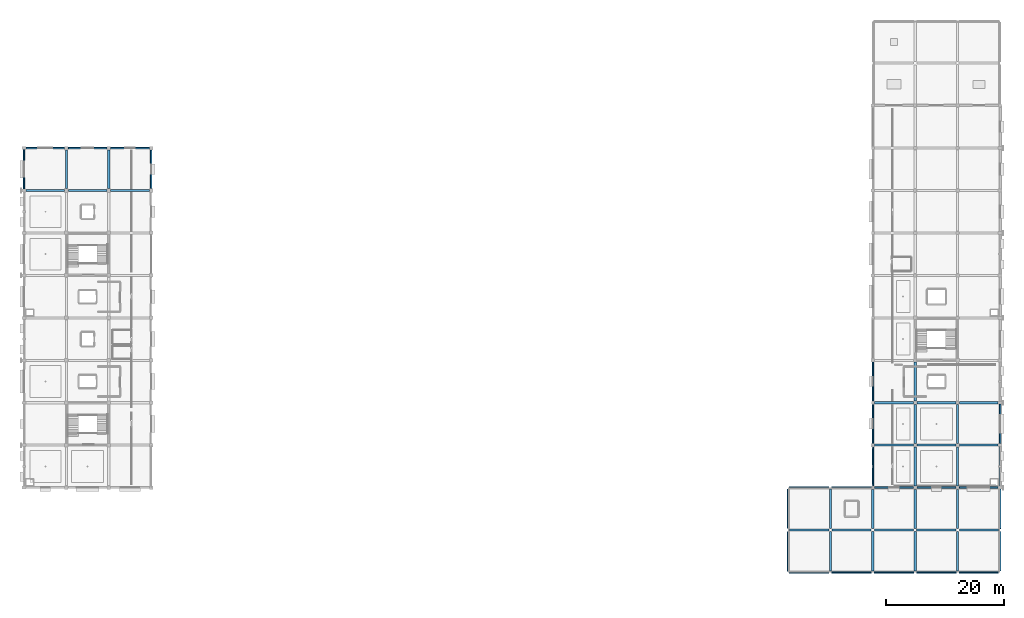
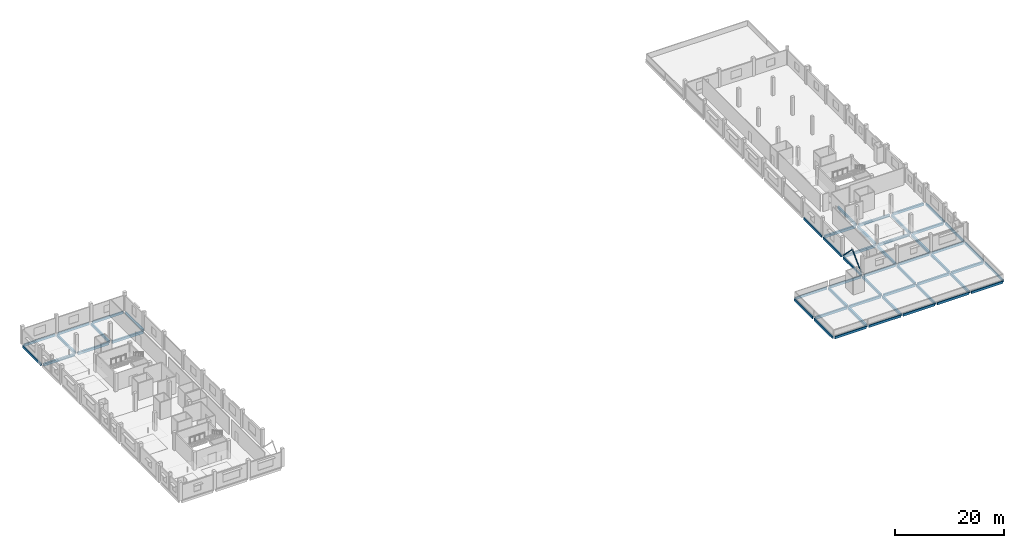
# One storey, part 5 of 26: 53 beams, 2 members.
"""IFC4 building model written with IfcOpenShell, lengths in metres."""

from ifc_helpers import new_model, si_unit, direction, frame, origin, origin_2d, place, context, subcontext, project, spatial, rectangle, hollow_circle, extrude, material, material_profile, profile_set, type_object, element, save


model = new_model("IFC4")

# Units and contexts
model_context = context("Model", 3, precision=1e-05, world=origin(), true_north=direction((0.0, 1.0)))
body_context = subcontext(model_context, "Body", "Model", "MODEL_VIEW")
ifc_project = project(units=[si_unit("LENGTHUNIT", "METRE"), si_unit("AREAUNIT", "SQUARE_METRE"), si_unit("VOLUMEUNIT", "CUBIC_METRE"), si_unit("PLANEANGLEUNIT", "RADIAN"), si_unit("MASSUNIT", "GRAM", prefix="KILO")], contexts=[model_context])

# Site, building, storey
site_placement = place(None, origin())
site = spatial("IfcSite", under=ifc_project, at=site_placement, CompositionType="ELEMENT")
building_placement = place(site_placement, origin())
building = spatial("IfcBuilding", under=site, at=building_placement, Name="Kangsadwip Square Police Headquarters", CompositionType="ELEMENT")
storey_placement = place(building_placement, frame((0.0, 0.0, 25.64990234375)))
storey = spatial("IfcBuildingStorey", under=building, at=storey_placement, Name="L06", CompositionType="ELEMENT", Elevation=25.64990234375)

# Beams
ifc_material_1 = material(Name="Concrete M35 (35 MPa)", Category="concrete")
ifc_material_profile_1 = material_profile(ifc_material_1, rectangle(XDim=0.35009765625, YDim=0.550048828125, at=origin_2d()), Name="RC BM 550X350")
ifc_profile_set_1 = profile_set([ifc_material_profile_1], Name="Concrete M35 (35 MPa)")
beam_type_1 = type_object("IfcBeamType", Name="RcBeam550x350", PredefinedType="BEAM", material=ifc_profile_set_1)
for number, where, z_axis, x_axis, name in (
    (1, (129.875, 28.800048828125, -0.494873046875), (1.0, 0.0, 0.0), (0.0, 1.0, 0.0), "Beam BM-L06-X-18-04"),
    (2, (137.050048828125, 28.800048828125, -0.494873046875), (1.0, 0.0, 0.0), (0.0, 1.0, 0.0), "Beam BM-L06-X-19-04"),
    (3, (144.27490234375, 28.800048828125, -0.494873046875), (1.0, 0.0, 0.0), (0.0, 1.0, 0.0), "Beam BM-L06-X-20-04"),
    (4, (151.449951171875, 28.800048828125, -0.494873046875), (1.0, 0.0, 0.0), (0.0, 1.0, 0.0), "Beam BM-L06-X-21-04"),
    (5, (158.675048828125, 28.800048828125, -0.494873046875), (1.0, 0.0, 0.0), (0.0, 1.0, 0.0), "Beam BM-L06-X-22-04"),
    (6, (136.800048828125, 21.875, -0.494873046875), (0.0, 1.0, 0.0), (-1.0, 0.0, 0.0), "Beam BM-L06-Y-19-03"),
    (7, (136.800048828125, 29.050048828125, -0.494873046875), (0.0, 1.0, 0.0), (-1.0, 0.0, 0.0), "Beam BM-L06-Y-19-04"),
):
    element("IfcBeam", number, at=place(storey_placement, frame(where, z_axis=z_axis, x_axis=x_axis)), inside=storey, type_object=beam_type_1, Name=name, PredefinedType="BEAM", context=body_context, shape_type="SweptSolid", body=[
        extrude(rectangle(XDim=0.35009765625, YDim=0.550048828125, at=origin_2d()), origin(), (0.0, 0.0, 1.0), 6.675048828125),
    ])
beam_1_placement = place(storey_placement, frame((144.0, 21.85009765625, -0.494873046875), z_axis=(0.0, 1.0, 0.0), x_axis=(-1.0, 0.0, 0.0)))
element("IfcBeam", 8, at=beam_1_placement, inside=storey, type_object=beam_type_1, Name="Beam BM-L06-Y-20-03", PredefinedType="BEAM", context=body_context, shape_type="SweptSolid", body=[
    extrude(rectangle(XDim=0.35009765625, YDim=0.550048828125, at=origin_2d()), origin(), (0.0, 0.0, 1.0), 6.6748046875),
])
beam_2_placement = place(storey_placement, frame((144.0, 29.074951171875, -0.494873046875), z_axis=(0.0, 1.0, 0.0), x_axis=(-1.0, 0.0, 0.0)))
element("IfcBeam", 9, at=beam_2_placement, inside=storey, type_object=beam_type_1, Name="Beam BM-L06-Y-20-04", PredefinedType="BEAM", context=body_context, shape_type="SweptSolid", body=[
    extrude(rectangle(XDim=0.35009765625, YDim=0.550048828125, at=origin_2d()), origin(), (0.0, 0.0, 1.0), 6.625),
])
beam_3_placement = place(storey_placement, frame((151.199951171875, 21.875, -0.494873046875), z_axis=(0.0, 1.0, 0.0), x_axis=(-1.0, 0.0, 0.0)))
element("IfcBeam", 10, at=beam_3_placement, inside=storey, type_object=beam_type_1, Name="Beam BM-L06-Y-21-03", PredefinedType="BEAM", context=body_context, shape_type="SweptSolid", body=[
    extrude(rectangle(XDim=0.35009765625, YDim=0.550048828125, at=origin_2d()), origin(), (0.0, 0.0, 1.0), 6.675048828125),
])
beam_4_placement = place(storey_placement, frame((151.199951171875, 29.050048828125, -0.494873046875), z_axis=(0.0, 1.0, 0.0), x_axis=(-1.0, 0.0, 0.0)))
element("IfcBeam", 11, at=beam_4_placement, inside=storey, type_object=beam_type_1, Name="Beam BM-L06-Y-21-04", PredefinedType="BEAM", context=body_context, shape_type="SweptSolid", body=[
    extrude(rectangle(XDim=0.35009765625, YDim=0.550048828125, at=origin_2d()), origin(), (0.0, 0.0, 1.0), 6.64990234375),
])
beam_5_placement = place(storey_placement, frame((158.39990234375, 21.85009765625, -0.494873046875), z_axis=(0.0, 1.0, 0.0), x_axis=(-1.0, 0.0, 0.0)))
element("IfcBeam", 12, at=beam_5_placement, inside=storey, type_object=beam_type_1, Name="Beam BM-L06-Y-22-03", PredefinedType="BEAM", context=body_context, shape_type="SweptSolid", body=[
    extrude(rectangle(XDim=0.35009765625, YDim=0.550048828125, at=origin_2d()), origin(), (0.0, 0.0, 1.0), 6.6748046875),
])
beam_6_placement = place(storey_placement, frame((158.39990234375, 29.074951171875, -0.494873046875), z_axis=(0.0, 1.0, 0.0), x_axis=(-1.0, 0.0, 0.0)))
element("IfcBeam", 13, at=beam_6_placement, inside=storey, type_object=beam_type_1, Name="Beam BM-L06-Y-22-04", PredefinedType="BEAM", context=body_context, shape_type="SweptSolid", body=[
    extrude(rectangle(XDim=0.35009765625, YDim=0.550048828125, at=origin_2d()), origin(), (0.0, 0.0, 1.0), 6.625),
])
beam_7_placement = place(storey_placement, frame((144.300048828125, 43.199951171875, -0.494873046875), z_axis=(1.0, 0.0, 0.0), x_axis=(0.0, 1.0, 0.0)))
element("IfcBeam", 14, at=beam_7_placement, inside=storey, type_object=beam_type_1, Name="Beam BM-L06-X-20-06", PredefinedType="BEAM", context=body_context, shape_type="SweptSolid", body=[
    extrude(rectangle(XDim=0.35009765625, YDim=0.550048828125, at=origin_2d()), origin(), (0.0, 0.0, 1.0), 6.599853515625),
])
beam_8_placement = place(storey_placement, frame((151.5, 43.199951171875, -0.494873046875), z_axis=(1.0, 0.0, 0.0), x_axis=(0.0, 1.0, 0.0)))
element("IfcBeam", 15, at=beam_8_placement, inside=storey, type_object=beam_type_1, Name="Beam BM-L06-X-21-06", PredefinedType="BEAM", context=body_context, shape_type="SweptSolid", body=[
    extrude(rectangle(XDim=0.35009765625, YDim=0.550048828125, at=origin_2d()), origin(), (0.0, 0.0, 1.0), 6.60009765625),
])
beam_9_placement = place(storey_placement, frame((158.699951171875, 43.199951171875, -0.494873046875), z_axis=(1.0, 0.0, 0.0), x_axis=(0.0, 1.0, 0.0)))
element("IfcBeam", 16, at=beam_9_placement, inside=storey, type_object=beam_type_1, Name="Beam BM-L06-X-22-06", PredefinedType="BEAM", context=body_context, shape_type="SweptSolid", body=[
    extrude(rectangle(XDim=0.35009765625, YDim=0.550048828125, at=origin_2d()), origin(), (0.0, 0.0, 1.0), 6.550048828125),
])
beam_10_placement = place(storey_placement, frame((144.300048828125, 50.39990234375, -0.494873046875), z_axis=(1.0, 0.0, 0.0), x_axis=(0.0, 1.0, 0.0)))
element("IfcBeam", 17, at=beam_10_placement, inside=storey, type_object=beam_type_1, Name="Beam BM-L06-X-20-07", PredefinedType="BEAM", context=body_context, shape_type="SweptSolid", body=[
    extrude(rectangle(XDim=0.35009765625, YDim=0.550048828125, at=origin_2d()), origin(), (0.0, 0.0, 1.0), 6.599853515625),
])
beam_11_placement = place(storey_placement, frame((151.5, 50.39990234375, -0.494873046875), z_axis=(1.0, 0.0, 0.0), x_axis=(0.0, 1.0, 0.0)))
element("IfcBeam", 18, at=beam_11_placement, inside=storey, type_object=beam_type_1, Name="Beam BM-L06-X-21-07", PredefinedType="BEAM", context=body_context, shape_type="SweptSolid", body=[
    extrude(rectangle(XDim=0.35009765625, YDim=0.550048828125, at=origin_2d()), origin(), (0.0, 0.0, 1.0), 6.60009765625),
])
beam_12_placement = place(storey_placement, frame((158.699951171875, 50.39990234375, -0.494873046875), z_axis=(1.0, 0.0, 0.0), x_axis=(0.0, 1.0, 0.0)))
element("IfcBeam", 19, at=beam_12_placement, inside=storey, type_object=beam_type_1, Name="Beam BM-L06-X-22-07", PredefinedType="BEAM", context=body_context, shape_type="SweptSolid", body=[
    extrude(rectangle(XDim=0.35009765625, YDim=0.550048828125, at=origin_2d()), origin(), (0.0, 0.0, 1.0), 6.550048828125),
])
beam_13_placement = place(storey_placement, frame((0.35009765625, 86.39990234375, -0.494873046875), z_axis=(1.0, 0.0, 0.0), x_axis=(0.0, 1.0, 0.0)))
element("IfcBeam", 20, at=beam_13_placement, inside=storey, type_object=beam_type_1, Name="Beam BM-L06-X-00-12", PredefinedType="BEAM", context=body_context, shape_type="SweptSolid", body=[
    extrude(rectangle(XDim=0.35009765625, YDim=0.550048828125, at=origin_2d()), origin(), (0.0, 0.0, 1.0), 6.52490234375),
])
beam_14_placement = place(storey_placement, frame((7.52490234375, 86.39990234375, -0.494873046875), z_axis=(1.0, 0.0, 0.0), x_axis=(0.0, 1.0, 0.0)))
element("IfcBeam", 21, at=beam_14_placement, inside=storey, type_object=beam_type_1, Name="Beam BM-L06-X-01-12", PredefinedType="BEAM", context=body_context, shape_type="SweptSolid", body=[
    extrude(rectangle(XDim=0.35009765625, YDim=0.550048828125, at=origin_2d()), origin(), (0.0, 0.0, 1.0), 6.550048828125),
])
for number, where, z_axis, x_axis, name in (
    (22, (14.72509765625, 86.39990234375, -0.494873046875), (1.0, 0.0, 0.0), (0.0, 1.0, 0.0), "Beam BM-L06-X-02-12"),
    (23, (7.199951171875, 86.72509765625, -0.494873046875), (0.0, 1.0, 0.0), (-1.0, 0.0, 0.0), "Beam BM-L06-Y-01-12"),
    (24, (14.39990234375, 86.72509765625, -0.494873046875), (0.0, 1.0, 0.0), (-1.0, 0.0, 0.0), "Beam BM-L06-Y-02-12"),
):
    element("IfcBeam", number, at=place(storey_placement, frame(where, z_axis=z_axis, x_axis=x_axis)), inside=storey, type_object=beam_type_1, Name=name, PredefinedType="BEAM", context=body_context, shape_type="SweptSolid", body=[
        extrude(rectangle(XDim=0.35009765625, YDim=0.550048828125, at=origin_2d()), origin(), (0.0, 0.0, 1.0), 6.5498046875),
    ])
beam_15_placement = place(storey_placement, frame((151.199951171875, 36.300048828125, -0.494873046875), z_axis=(0.0, 1.0, 0.0), x_axis=(-1.0, 0.0, 0.0)))
element("IfcBeam", 25, at=beam_15_placement, inside=storey, type_object=beam_type_1, Name="Beam BM-L06-Y-21-05", PredefinedType="BEAM", context=body_context, shape_type="SweptSolid", body=[
    extrude(rectangle(XDim=0.35009765625, YDim=0.550048828125, at=origin_2d()), origin(), (0.0, 0.0, 1.0), 6.599853515625),
])
for number, where, z_axis, x_axis, name in (
    (26, (151.199951171875, 43.5, -0.494873046875), (0.0, 1.0, 0.0), (-1.0, 0.0, 0.0), "Beam BM-L06-Y-21-06"),
    (27, (151.199951171875, 50.699951171875, -0.494873046875), (0.0, 1.0, 0.0), (-1.0, 0.0, 0.0), "Beam BM-L06-Y-21-07"),
):
    element("IfcBeam", number, at=place(storey_placement, frame(where, z_axis=z_axis, x_axis=x_axis)), inside=storey, type_object=beam_type_1, Name=name, PredefinedType="BEAM", context=body_context, shape_type="SweptSolid", body=[
        extrude(rectangle(XDim=0.35009765625, YDim=0.550048828125, at=origin_2d()), origin(), (0.0, 0.0, 1.0), 6.60009765625),
    ])
beam_16_placement = place(storey_placement, frame((158.39990234375, 36.300048828125, -0.494873046875), z_axis=(0.0, 1.0, 0.0), x_axis=(-1.0, 0.0, 0.0)))
element("IfcBeam", 28, at=beam_16_placement, inside=storey, type_object=beam_type_1, Name="Beam BM-L06-Y-22-05", PredefinedType="BEAM", context=body_context, shape_type="SweptSolid", body=[
    extrude(rectangle(XDim=0.35009765625, YDim=0.550048828125, at=origin_2d()), origin(), (0.0, 0.0, 1.0), 6.599853515625),
])
beam_17_placement = place(storey_placement, frame((158.39990234375, 43.5, -0.494873046875), z_axis=(0.0, 1.0, 0.0), x_axis=(-1.0, 0.0, 0.0)))
element("IfcBeam", 29, at=beam_17_placement, inside=storey, type_object=beam_type_1, Name="Beam BM-L06-Y-22-06", PredefinedType="BEAM", context=body_context, shape_type="SweptSolid", body=[
    extrude(rectangle(XDim=0.35009765625, YDim=0.550048828125, at=origin_2d()), origin(), (0.0, 0.0, 1.0), 6.60009765625),
])
ifc_material_2 = material(Name="Concrete M35 (35 MPa)", Category="concrete")
ifc_material_profile_2 = material_profile(ifc_material_2, rectangle(XDim=0.25, YDim=0.52001953125, at=origin_2d()), Name="RC SPN 520X250")
ifc_profile_set_2 = profile_set([ifc_material_profile_2], Name="Concrete M35 (35 MPa)")
beam_type_2 = type_object("IfcBeamType", Name="RcSpandrel520x250", PredefinedType="SPANDREL", material=ifc_profile_set_2)
beam_18_placement = place(storey_placement, frame((129.85009765625, 21.60009765625, -0.47998046875), z_axis=(1.0, 0.0, 0.0), x_axis=(0.0, 1.0, 0.0)))
element("IfcBeam", 30, at=beam_18_placement, inside=storey, type_object=beam_type_2, Name="Beam BM-L06-X-18-03", PredefinedType="SPANDREL", context=body_context, shape_type="SweptSolid", body=[
    extrude(rectangle(XDim=0.25, YDim=0.52001953125, at=origin_2d()), origin(), (0.0, 0.0, 1.0), 6.6748046875),
])
for number, where, z_axis, x_axis, name in (
    (31, (137.074951171875, 21.60009765625, -0.47998046875), (1.0, 0.0, 0.0), (0.0, 1.0, 0.0), "Beam BM-L06-X-19-03"),
    (32, (144.25, 21.60009765625, -0.47998046875), (1.0, 0.0, 0.0), (0.0, 1.0, 0.0), "Beam BM-L06-X-20-03"),
):
    element("IfcBeam", number, at=place(storey_placement, frame(where, z_axis=z_axis, x_axis=x_axis)), inside=storey, type_object=beam_type_2, Name=name, PredefinedType="SPANDREL", context=body_context, shape_type="SweptSolid", body=[
        extrude(rectangle(XDim=0.25, YDim=0.52001953125, at=origin_2d()), origin(), (0.0, 0.0, 1.0), 6.675048828125),
    ])
beam_19_placement = place(storey_placement, frame((151.47509765625, 21.60009765625, -0.47998046875), z_axis=(1.0, 0.0, 0.0), x_axis=(0.0, 1.0, 0.0)))
element("IfcBeam", 33, at=beam_19_placement, inside=storey, type_object=beam_type_2, Name="Beam BM-L06-X-21-03", PredefinedType="SPANDREL", context=body_context, shape_type="SweptSolid", body=[
    extrude(rectangle(XDim=0.25, YDim=0.52001953125, at=origin_2d()), origin(), (0.0, 0.0, 1.0), 6.6748046875),
])
beam_20_placement = place(storey_placement, frame((158.64990234375, 21.60009765625, -0.47998046875), z_axis=(1.0, 0.0, 0.0), x_axis=(0.0, 1.0, 0.0)))
element("IfcBeam", 34, at=beam_20_placement, inside=storey, type_object=beam_type_2, Name="Beam BM-L06-X-22-03", PredefinedType="SPANDREL", context=body_context, shape_type="SweptSolid", body=[
    extrude(rectangle(XDim=0.25, YDim=0.52001953125, at=origin_2d()), origin(), (0.0, 0.0, 1.0), 6.675048828125),
])
beam_21_placement = place(storey_placement, frame((129.85009765625, 36.0, -0.47998046875), z_axis=(1.0, 0.0, 0.0), x_axis=(0.0, 1.0, 0.0)))
element("IfcBeam", 35, at=beam_21_placement, inside=storey, type_object=beam_type_2, Name="Beam BM-L06-X-18-05", PredefinedType="SPANDREL", context=body_context, shape_type="SweptSolid", body=[
    extrude(rectangle(XDim=0.25, YDim=0.52001953125, at=origin_2d()), origin(), (0.0, 0.0, 1.0), 6.6748046875),
])
beam_22_placement = place(storey_placement, frame((137.074951171875, 36.0, -0.47998046875), z_axis=(1.0, 0.0, 0.0), x_axis=(0.0, 1.0, 0.0)))
element("IfcBeam", 36, at=beam_22_placement, inside=storey, type_object=beam_type_2, Name="Beam BM-L06-X-19-05", PredefinedType="SPANDREL", context=body_context, shape_type="SweptSolid", body=[
    extrude(rectangle(XDim=0.25, YDim=0.52001953125, at=origin_2d()), origin(), (0.0, 0.0, 1.0), 6.625),
])
beam_23_placement = place(storey_placement, frame((144.300048828125, 36.0, -0.47998046875), z_axis=(1.0, 0.0, 0.0), x_axis=(0.0, 1.0, 0.0)))
element("IfcBeam", 37, at=beam_23_placement, inside=storey, type_object=beam_type_2, Name="Beam BM-L06-X-20-05", PredefinedType="SPANDREL", context=body_context, shape_type="SweptSolid", body=[
    extrude(rectangle(XDim=0.25, YDim=0.52001953125, at=origin_2d()), origin(), (0.0, 0.0, 1.0), 6.599853515625),
])
beam_24_placement = place(storey_placement, frame((151.5, 36.0, -0.47998046875), z_axis=(1.0, 0.0, 0.0), x_axis=(0.0, 1.0, 0.0)))
element("IfcBeam", 38, at=beam_24_placement, inside=storey, type_object=beam_type_2, Name="Beam BM-L06-X-21-05", PredefinedType="SPANDREL", context=body_context, shape_type="SweptSolid", body=[
    extrude(rectangle(XDim=0.25, YDim=0.52001953125, at=origin_2d()), origin(), (0.0, 0.0, 1.0), 6.60009765625),
])
beam_25_placement = place(storey_placement, frame((158.699951171875, 36.0, -0.47998046875), z_axis=(1.0, 0.0, 0.0), x_axis=(0.0, 1.0, 0.0)))
element("IfcBeam", 39, at=beam_25_placement, inside=storey, type_object=beam_type_2, Name="Beam BM-L06-X-22-05", PredefinedType="SPANDREL", context=body_context, shape_type="SweptSolid", body=[
    extrude(rectangle(XDim=0.25, YDim=0.52001953125, at=origin_2d()), origin(), (0.0, 0.0, 1.0), 6.550048828125),
])
beam_26_placement = place(storey_placement, frame((129.60009765625, 21.85009765625, -0.47998046875), z_axis=(0.0, 1.0, 0.0), x_axis=(-1.0, 0.0, 0.0)))
element("IfcBeam", 40, at=beam_26_placement, inside=storey, type_object=beam_type_2, Name="Beam BM-L06-Y-18-03", PredefinedType="SPANDREL", context=body_context, shape_type="SweptSolid", body=[
    extrude(rectangle(XDim=0.25, YDim=0.52001953125, at=origin_2d()), origin(), (0.0, 0.0, 1.0), 6.6748046875),
])
for number, where, z_axis, x_axis, name in (
    (41, (129.60009765625, 29.074951171875, -0.47998046875), (0.0, 1.0, 0.0), (-1.0, 0.0, 0.0), "Beam BM-L06-Y-18-04"),
    (42, (165.60009765625, 21.875, -0.47998046875), (0.0, 1.0, 0.0), (-1.0, 0.0, 0.0), "Beam BM-L06-Y-23-03"),
):
    element("IfcBeam", number, at=place(storey_placement, frame(where, z_axis=z_axis, x_axis=x_axis)), inside=storey, type_object=beam_type_2, Name=name, PredefinedType="SPANDREL", context=body_context, shape_type="SweptSolid", body=[
        extrude(rectangle(XDim=0.25, YDim=0.52001953125, at=origin_2d()), origin(), (0.0, 0.0, 1.0), 6.675048828125),
    ])
beam_27_placement = place(storey_placement, frame((165.60009765625, 29.050048828125, -0.47998046875), z_axis=(0.0, 1.0, 0.0), x_axis=(-1.0, 0.0, 0.0)))
element("IfcBeam", 43, at=beam_27_placement, inside=storey, type_object=beam_type_2, Name="Beam BM-L06-Y-23-04", PredefinedType="SPANDREL", context=body_context, shape_type="SweptSolid", body=[
    extrude(rectangle(XDim=0.25, YDim=0.52001953125, at=origin_2d()), origin(), (0.0, 0.0, 1.0), 6.699951171875),
])
beam_28_placement = place(storey_placement, frame((0.35009765625, 93.60009765625, -0.47998046875), z_axis=(1.0, 0.0, 0.0), x_axis=(0.0, 1.0, 0.0)))
element("IfcBeam", 44, at=beam_28_placement, inside=storey, type_object=beam_type_2, Name="Beam BM-L06-X-00-13", PredefinedType="SPANDREL", context=body_context, shape_type="SweptSolid", body=[
    extrude(rectangle(XDim=0.25, YDim=0.52001953125, at=origin_2d()), origin(), (0.0, 0.0, 1.0), 6.52490234375),
])
beam_29_placement = place(storey_placement, frame((7.52490234375, 93.60009765625, -0.47998046875), z_axis=(1.0, 0.0, 0.0), x_axis=(0.0, 1.0, 0.0)))
element("IfcBeam", 45, at=beam_29_placement, inside=storey, type_object=beam_type_2, Name="Beam BM-L06-X-01-13", PredefinedType="SPANDREL", context=body_context, shape_type="SweptSolid", body=[
    extrude(rectangle(XDim=0.25, YDim=0.52001953125, at=origin_2d()), origin(), (0.0, 0.0, 1.0), 6.550048828125),
])
beam_30_placement = place(storey_placement, frame((14.72509765625, 93.60009765625, -0.47998046875), z_axis=(1.0, 0.0, 0.0), x_axis=(0.0, 1.0, 0.0)))
element("IfcBeam", 46, at=beam_30_placement, inside=storey, type_object=beam_type_2, Name="Beam BM-L06-X-02-13", PredefinedType="SPANDREL", context=body_context, shape_type="SweptSolid", body=[
    extrude(rectangle(XDim=0.25, YDim=0.52001953125, at=origin_2d()), origin(), (0.0, 0.0, 1.0), 6.5498046875),
])
beam_31_placement = place(storey_placement, frame((0.0, 86.64990234375, -0.47998046875), z_axis=(0.0, 1.0, 0.0), x_axis=(-1.0, 0.0, 0.0)))
element("IfcBeam", 47, at=beam_31_placement, inside=storey, type_object=beam_type_2, Name="Beam BM-L06-Y-00-12", PredefinedType="SPANDREL", context=body_context, shape_type="SweptSolid", body=[
    extrude(rectangle(XDim=0.25, YDim=0.52001953125, at=origin_2d()), origin(), (0.0, 0.0, 1.0), 6.7001953125),
])
beam_32_placement = place(storey_placement, frame((21.60009765625, 86.72509765625, -0.47998046875), z_axis=(0.0, 1.0, 0.0), x_axis=(-1.0, 0.0, 0.0)))
element("IfcBeam", 48, at=beam_32_placement, inside=storey, type_object=beam_type_2, Name="Beam BM-L06-Y-03-12", PredefinedType="SPANDREL", context=body_context, shape_type="SweptSolid", body=[
    extrude(rectangle(XDim=0.25, YDim=0.52001953125, at=origin_2d()), origin(), (0.0, 0.0, 1.0), 6.5498046875),
])
beam_33_placement = place(storey_placement, frame((144.0, 36.300048828125, -0.47998046875), z_axis=(0.0, 1.0, 0.0), x_axis=(-1.0, 0.0, 0.0)))
element("IfcBeam", 49, at=beam_33_placement, inside=storey, type_object=beam_type_2, Name="Beam BM-L06-Y-20-05", PredefinedType="SPANDREL", context=body_context, shape_type="SweptSolid", body=[
    extrude(rectangle(XDim=0.25, YDim=0.52001953125, at=origin_2d()), origin(), (0.0, 0.0, 1.0), 6.599853515625),
])
for number, where, z_axis, x_axis, name in (
    (50, (144.0, 43.5, -0.47998046875), (0.0, 1.0, 0.0), (-1.0, 0.0, 0.0), "Beam BM-L06-Y-20-06"),
    (51, (144.0, 50.699951171875, -0.47998046875), (0.0, 1.0, 0.0), (-1.0, 0.0, 0.0), "Beam BM-L06-Y-20-07"),
):
    element("IfcBeam", number, at=place(storey_placement, frame(where, z_axis=z_axis, x_axis=x_axis)), inside=storey, type_object=beam_type_2, Name=name, PredefinedType="SPANDREL", context=body_context, shape_type="SweptSolid", body=[
        extrude(rectangle(XDim=0.25, YDim=0.52001953125, at=origin_2d()), origin(), (0.0, 0.0, 1.0), 6.60009765625),
    ])
for number, where, z_axis, x_axis, name in (
    (52, (165.60009765625, 36.25, -0.47998046875), (0.0, 1.0, 0.0), (-1.0, 0.0, 0.0), "Beam BM-L06-Y-23-05"),
    (53, (165.60009765625, 43.449951171875, -0.47998046875), (0.0, 1.0, 0.0), (-1.0, 0.0, 0.0), "Beam BM-L06-Y-23-06"),
):
    element("IfcBeam", number, at=place(storey_placement, frame(where, z_axis=z_axis, x_axis=x_axis)), inside=storey, type_object=beam_type_2, Name=name, PredefinedType="SPANDREL", context=body_context, shape_type="SweptSolid", body=[
        extrude(rectangle(XDim=0.25, YDim=0.52001953125, at=origin_2d()), origin(), (0.0, 0.0, 1.0), 6.699951171875),
    ])

# Members
ifc_material_3 = material(Name="Structural steel IS 2062 E350 (Grade 350, 350 MPa)", Category="steel")
ifc_material_profile_3 = material_profile(ifc_material_3, hollow_circle(Radius=0.109619140625, WallThickness=0.010009765625, at=origin_2d()), Name="CHS 219X10")
ifc_profile_set_3 = profile_set([ifc_material_profile_3], Name="Structural steel IS 2062 E350 (Grade 350, 350 MPa)")
member_type = type_object("IfcMemberType", Name="TrussBraceChs219", PredefinedType="BRACE", material=ifc_profile_set_3)
member_1_placement = place(storey_placement, frame((144.0, 36.300048828125, 0.0), z_axis=(0.0, 0.706035191316, 0.708176749564), x_axis=(-1.0, 0.0, 0.0)))
element("IfcMember", 54, at=member_1_placement, inside=storey, type_object=member_type, Name="Truss Member MEM-L06-0298", PredefinedType="BRACE", context=body_context, shape_type="SweptSolid", body=[
    extrude(hollow_circle(Radius=0.109619140625, WallThickness=0.010009765625, at=origin_2d()), origin(), (0.0, 0.0, 1.0), 4.674072265625),
])
member_2_placement = place(storey_placement, frame((144.0, 42.89990234375, 0.0), z_axis=(0.0, -0.706008994206, 0.708202866487), x_axis=(1.0, 0.0, 0.0)))
element("IfcMember", 55, at=member_2_placement, inside=storey, type_object=member_type, Name="Truss Member MEM-L06-0299", PredefinedType="BRACE", context=body_context, shape_type="SweptSolid", body=[
    extrude(hollow_circle(Radius=0.109619140625, WallThickness=0.010009765625, at=origin_2d()), origin(), (0.0, 0.0, 1.0), 4.673828125),
])

save(model, "model.ifc")
